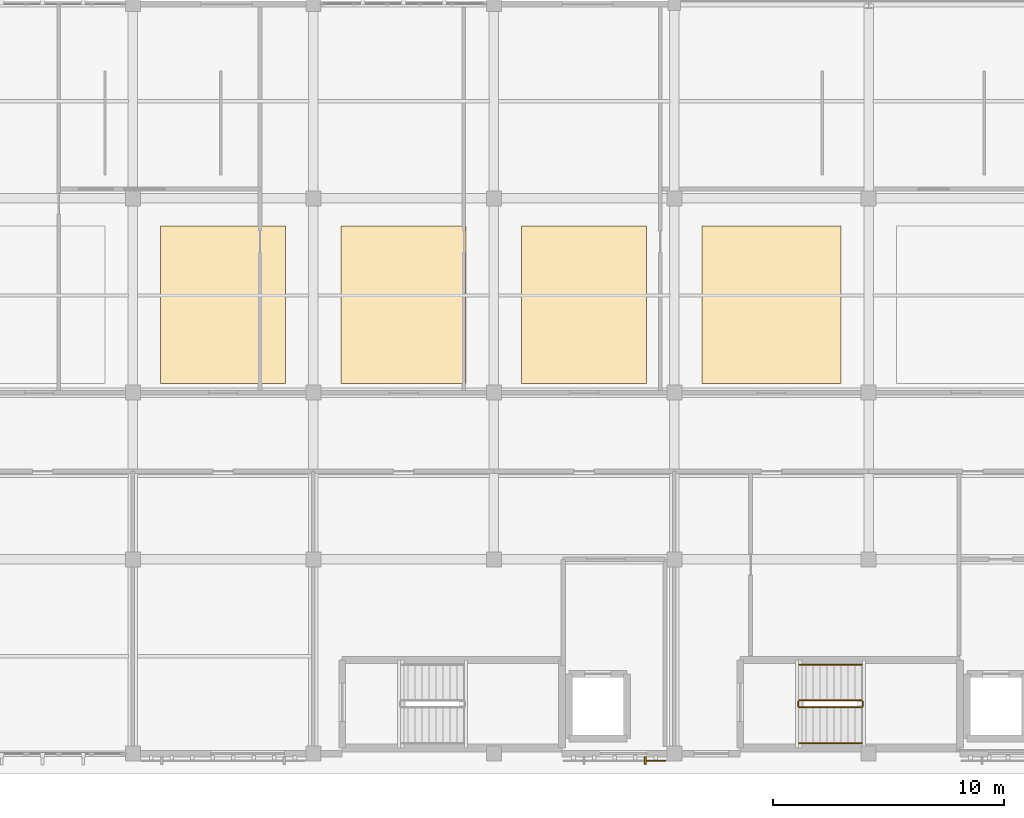
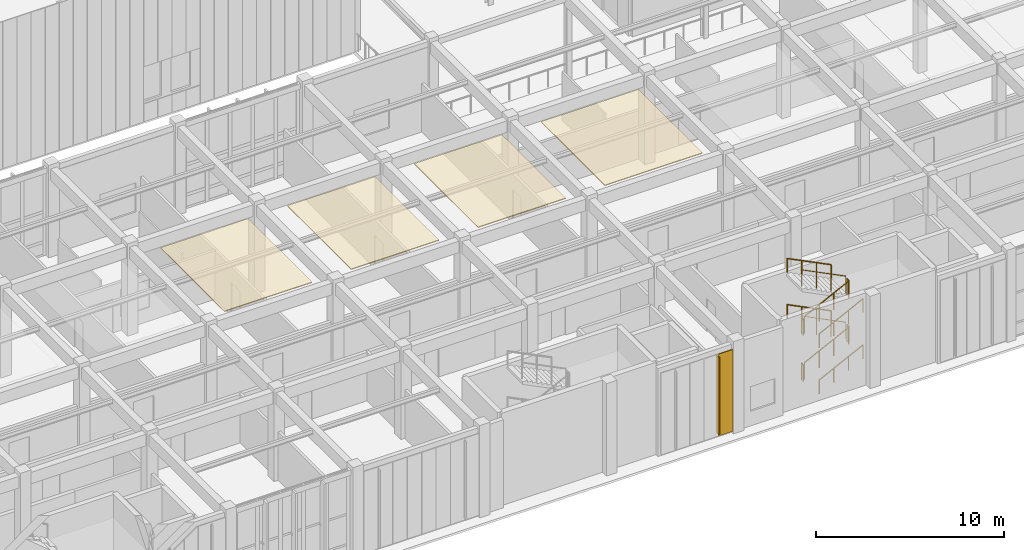
# One storey, part 91 of 105: 12 railings, 5 coverings, 1 shading device.
"""IFC4 building model written with IfcOpenShell, lengths in metres."""

from ifc_helpers import new_model, si_unit, direction, frame, origin, origin_2d, place, context, subcontext, project, spatial, polyline, rectangle, circle, outline, extrude, material, layer, layer_set, type_object, element, save


model = new_model("IFC4")

# Units and contexts
model_context = context("Model", 3, precision=1e-05, world=origin(), true_north=direction((0.0, 1.0)))
body_context = subcontext(model_context, "Body", "Model", "MODEL_VIEW")
ifc_project = project(units=[si_unit("LENGTHUNIT", "METRE"), si_unit("AREAUNIT", "SQUARE_METRE"), si_unit("VOLUMEUNIT", "CUBIC_METRE"), si_unit("PLANEANGLEUNIT", "RADIAN"), si_unit("MASSUNIT", "GRAM", prefix="KILO")], contexts=[model_context])

# Site, building, storey
site_placement = place(None, origin())
site = spatial("IfcSite", under=ifc_project, at=site_placement, CompositionType="ELEMENT")
building_placement = place(site_placement, origin())
building = spatial("IfcBuilding", under=site, at=building_placement, Name="Tizgana Railside Sports Hall", CompositionType="ELEMENT")
storey_placement = place(building_placement, frame((0.0, 0.0, 6.0)))
storey = spatial("IfcBuildingStorey", under=building, at=storey_placement, Name="L01", CompositionType="ELEMENT", Elevation=6.0)

# Shading device
ifc_material_1 = material(Name="Glulam GL28h", Category="wood")
shading_device_type = type_object("IfcShadingDeviceType", Name="Glulam Vertical Brise-Soleil Fin 320", PredefinedType="JALOUSIE", material=ifc_material_1)
shading_device_placement = place(storey_placement, frame((53.35009765625, -0.2939453125, 0.35009765625), z_axis=(0.0, 0.0, 1.0), x_axis=(-1.0, 0.0, 0.0)))
element("IfcShadingDevice", 1, at=shading_device_placement, inside=storey, type_object=shading_device_type, Name="L01 Glulam Fin FIN-0031", PredefinedType="JALOUSIE", context=body_context, shape_type="SweptSolid", body=[
    extrude(rectangle(XDim=0.080078125, YDim=0.320068359375, at=origin_2d()), origin(), (0.0, 0.0, 1.0), 5.02001953125),
])

# Covering
ifc_material_2 = material(Name="Anodised perforated aluminium screen", Category="aluminium")
ifc_layer_1 = layer(ifc_material_2, 0.044921875, Name="Anodised perforated aluminium screen")
ifc_layer_set_1 = layer_set([ifc_layer_1], Name="Anodised perforated aluminium screen")
covering_type_1 = type_object("IfcCoveringType", Name="Perforated Aluminium Hall Screen 900", PredefinedType="CLADDING", material=ifc_layer_set_1)
covering_1_placement = place(storey_placement, frame((53.804931640625, -0.31494140625, 0.2001953125), z_axis=(0.0, 0.0, 1.0), x_axis=(-1.0, 0.0, 0.0)))
element("IfcCovering", 2, at=covering_1_placement, inside=storey, type_object=covering_type_1, Name="L01 Perforated Screen SCR-0538", PredefinedType="CLADDING", context=body_context, shape_type="SweptSolid", body=[
    extrude(rectangle(XDim=0.8720703125, YDim=0.044921875, at=origin_2d()), origin(), (0.0, 0.0, 1.0), 5.320068359375),
])

# Railings
ifc_material_3 = material(Name="Galvanised steel sheet", Category="steel")
railing_type_1 = type_object("IfcRailingType", Name="Safety Balustrade Guard 1100", PredefinedType="BALUSTRADE", material=ifc_material_3)
railing_1_placement = place(storey_placement, frame((60.0, 2.0, 0.14990234375)))
element("IfcRailing", 3, at=railing_1_placement, inside=storey, type_object=railing_type_1, Name="L01 ST-03 stair guard 1", PredefinedType="BALUSTRADE", context=body_context, shape_type="SweptSolid", body=[
    extrude(circle(Radius=0.02392578125, at=origin_2d()), frame((0.0, 0.0, 1.076171875), z_axis=(0.894411015155, 0.0, 0.447245945728), x_axis=(0.0, 1.0, 0.0)), (0.0, 0.0, 1.0), 3.018798828125),
    extrude(circle(Radius=0.02099609375, at=origin_2d()), origin(), (0.0, 0.0, 1.0), 1.052001953125),
    extrude(circle(Radius=0.02099609375, at=origin_2d()), frame((0.89990234375, 0.0, 0.449951171875)), (0.0, 0.0, 1.0), 1.052001953125),
    extrude(circle(Radius=0.02099609375, at=origin_2d()), frame((1.800048828125, 0.0, 0.900146484375)), (0.0, 0.0, 1.0), 1.052001953125),
    extrude(circle(Radius=0.02099609375, at=origin_2d()), frame((2.699951171875, 0.0, 1.35009765625)), (0.0, 0.0, 1.0), 1.052001953125),
])
railing_2_placement = place(storey_placement, frame((62.75, 2.050048828125, 1.5)))
element("IfcRailing", 4, at=railing_2_placement, inside=storey, type_object=railing_type_1, Name="L01 ST-03 stair guard 2", PredefinedType="BALUSTRADE", context=body_context, shape_type="SweptSolid", body=[
    extrude(circle(Radius=0.02392578125, at=origin_2d()), frame((0.0, 0.0, 1.076171875), z_axis=(0.0, 1.0, 0.0), x_axis=(-1.0, 0.0, 0.0)), (0.0, 0.0, 1.0), 0.199951171875),
    extrude(circle(Radius=0.02099609375, at=origin_2d()), origin(), (0.0, 0.0, 1.0), 1.052001953125),
    extrude(circle(Radius=0.02099609375, at=origin_2d()), frame((0.0, 0.199951171875, 0.0)), (0.0, 0.0, 1.0), 1.052001953125),
])
railing_3_placement = place(storey_placement, frame((62.699951171875, 2.300048828125, 1.64990234375)))
element("IfcRailing", 5, at=railing_3_placement, inside=storey, type_object=railing_type_1, Name="L01 ST-03 stair guard 3", PredefinedType="BALUSTRADE", context=body_context, shape_type="SweptSolid", body=[
    extrude(circle(Radius=0.02392578125, at=origin_2d()), frame((0.0, 0.0, 1.076171875), z_axis=(-0.894411015155, 0.0, 0.447245945728), x_axis=(0.0, -1.0, 0.0)), (0.0, 0.0, 1.0), 3.018798828125),
    extrude(circle(Radius=0.02099609375, at=origin_2d()), origin(), (0.0, 0.0, 1.0), 1.052001953125),
    extrude(circle(Radius=0.02099609375, at=origin_2d()), frame((-0.89990234375, 0.0, 0.449951171875)), (0.0, 0.0, 1.0), 1.052001953125),
    extrude(circle(Radius=0.02099609375, at=origin_2d()), frame((-1.800048828125, 0.0, 0.900146484375)), (0.0, 0.0, 1.0), 1.052001953125),
    extrude(circle(Radius=0.02099609375, at=origin_2d()), frame((-2.699951171875, 0.0, 1.35009765625)), (0.0, 0.0, 1.0), 1.052001953125),
])
railing_4_placement = place(storey_placement, frame((59.949951171875, 2.050048828125, 3.0)))
element("IfcRailing", 6, at=railing_4_placement, inside=storey, type_object=railing_type_1, Name="L01 ST-03 stair guard 4", PredefinedType="BALUSTRADE", context=body_context, shape_type="SweptSolid", body=[
    extrude(circle(Radius=0.02392578125, at=origin_2d()), frame((0.0, 0.0, 1.076171875), z_axis=(0.0, 1.0, 0.0), x_axis=(-1.0, 0.0, 0.0)), (0.0, 0.0, 1.0), 0.199951171875),
    extrude(circle(Radius=0.02099609375, at=origin_2d()), origin(), (0.0, 0.0, 1.0), 1.052001953125),
    extrude(circle(Radius=0.02099609375, at=origin_2d()), frame((0.0, 0.199951171875, 0.0)), (0.0, 0.0, 1.0), 1.052001953125),
])
railing_5_placement = place(storey_placement, frame((60.0, 2.0, 3.14990234375)))
element("IfcRailing", 7, at=railing_5_placement, inside=storey, type_object=railing_type_1, Name="L01 ST-03 stair guard 5", PredefinedType="BALUSTRADE", context=body_context, shape_type="SweptSolid", body=[
    extrude(circle(Radius=0.02392578125, at=origin_2d()), frame((0.0, 0.0, 1.076171875), z_axis=(0.894411015155, 0.0, 0.447245945728), x_axis=(0.0, 1.0, 0.0)), (0.0, 0.0, 1.0), 3.018798828125),
    extrude(circle(Radius=0.02099609375, at=origin_2d()), origin(), (0.0, 0.0, 1.0), 1.052001953125),
    extrude(circle(Radius=0.02099609375, at=origin_2d()), frame((0.89990234375, 0.0, 0.449951171875)), (0.0, 0.0, 1.0), 1.052001953125),
    extrude(circle(Radius=0.02099609375, at=origin_2d()), frame((1.800048828125, 0.0, 0.900146484375)), (0.0, 0.0, 1.0), 1.052001953125),
    extrude(circle(Radius=0.02099609375, at=origin_2d()), frame((2.699951171875, 0.0, 1.35009765625)), (0.0, 0.0, 1.0), 1.052001953125),
])
railing_6_placement = place(storey_placement, frame((62.75, 2.050048828125, 4.5)))
element("IfcRailing", 8, at=railing_6_placement, inside=storey, type_object=railing_type_1, Name="L01 ST-03 stair guard 6", PredefinedType="BALUSTRADE", context=body_context, shape_type="SweptSolid", body=[
    extrude(circle(Radius=0.02392578125, at=origin_2d()), frame((0.0, 0.0, 1.076171875), z_axis=(0.0, 1.0, 0.0), x_axis=(-1.0, 0.0, 0.0)), (0.0, 0.0, 1.0), 0.199951171875),
    extrude(circle(Radius=0.02099609375, at=origin_2d()), origin(), (0.0, 0.0, 1.0), 1.052001953125),
    extrude(circle(Radius=0.02099609375, at=origin_2d()), frame((0.0, 0.199951171875, 0.0)), (0.0, 0.0, 1.0), 1.052001953125),
])
railing_7_placement = place(storey_placement, frame((62.699951171875, 2.300048828125, 4.64990234375)))
element("IfcRailing", 9, at=railing_7_placement, inside=storey, type_object=railing_type_1, Name="L01 ST-03 stair guard 7", PredefinedType="BALUSTRADE", context=body_context, shape_type="SweptSolid", body=[
    extrude(circle(Radius=0.02392578125, at=origin_2d()), frame((0.0, 0.0, 1.076171875), z_axis=(-0.894411015155, 0.0, 0.447245945728), x_axis=(0.0, -1.0, 0.0)), (0.0, 0.0, 1.0), 3.018798828125),
    extrude(circle(Radius=0.02099609375, at=origin_2d()), origin(), (0.0, 0.0, 1.0), 1.052001953125),
    extrude(circle(Radius=0.02099609375, at=origin_2d()), frame((-0.89990234375, 0.0, 0.449951171875)), (0.0, 0.0, 1.0), 1.052001953125),
    extrude(circle(Radius=0.02099609375, at=origin_2d()), frame((-1.800048828125, 0.0, 0.900146484375)), (0.0, 0.0, 1.0), 1.052001953125),
    extrude(circle(Radius=0.02099609375, at=origin_2d()), frame((-2.699951171875, 0.0, 1.35009765625)), (0.0, 0.0, 1.0), 1.052001953125),
])
railing_8_placement = place(storey_placement, frame((59.949951171875, 2.050048828125, 0.0)))
element("IfcRailing", 10, at=railing_8_placement, inside=storey, type_object=railing_type_1, Name="L01 ST-03 stair guard 8", PredefinedType="BALUSTRADE", context=body_context, shape_type="SweptSolid", body=[
    extrude(circle(Radius=0.02392578125, at=origin_2d()), frame((0.0, 0.0, 1.076171875), z_axis=(0.0, 1.0, 0.0), x_axis=(-1.0, 0.0, 0.0)), (0.0, 0.0, 1.0), 0.199951171875),
    extrude(circle(Radius=0.02099609375, at=origin_2d()), origin(), (0.0, 0.0, 1.0), 1.052001953125),
    extrude(circle(Radius=0.02099609375, at=origin_2d()), frame((0.0, 0.199951171875, 0.0)), (0.0, 0.0, 1.0), 1.052001953125),
])

# Coverings
ifc_material_4 = material(Name="Acoustic perforated timber", Category="wood")
ifc_layer_2 = layer(ifc_material_4, 0.054931640625, Name="Acoustic perforated timber")
ifc_layer_set_2 = layer_set([ifc_layer_2], Name="Acoustic perforated timber")
covering_type_2 = type_object("IfcCoveringType", Name="Slatted Timber Acoustic Hall Ceiling", PredefinedType="CEILING", material=ifc_layer_set_2)
covering_2_placement = place(storey_placement, frame((0.0, 0.0, 5.699951171875)))
element("IfcCovering", 11, at=covering_2_placement, inside=storey, type_object=covering_type_2, Name="L01 Acoustic Ceiling CLG-0004", PredefinedType="CEILING", context=body_context, shape_type="SweptSolid", body=[
    extrude(outline(polyline([(32.39990234375, 16.0), (37.800048828125, 16.0), (37.800048828125, 22.800048828125), (32.39990234375, 22.800048828125), (32.39990234375, 16.0)])), origin(), (0.0, 0.0, 1.0), 0.054931640625),
])
covering_3_placement = place(storey_placement, frame((0.0, 0.0, 5.699951171875)))
element("IfcCovering", 12, at=covering_3_placement, inside=storey, type_object=covering_type_2, Name="L01 Acoustic Ceiling CLG-0005", PredefinedType="CEILING", context=body_context, shape_type="SweptSolid", body=[
    extrude(outline(polyline([(40.199951171875, 16.0), (45.60009765625, 16.0), (45.60009765625, 22.800048828125), (40.199951171875, 22.800048828125), (40.199951171875, 16.0)])), origin(), (0.0, 0.0, 1.0), 0.054931640625),
])
covering_4_placement = place(storey_placement, frame((0.0, 0.0, 5.699951171875)))
element("IfcCovering", 13, at=covering_4_placement, inside=storey, type_object=covering_type_2, Name="L01 Acoustic Ceiling CLG-0006", PredefinedType="CEILING", context=body_context, shape_type="SweptSolid", body=[
    extrude(outline(polyline([(48.0, 16.0), (53.39990234375, 16.0), (53.39990234375, 22.800048828125), (48.0, 22.800048828125), (48.0, 16.0)])), origin(), (0.0, 0.0, 1.0), 0.054931640625),
])
covering_5_placement = place(storey_placement, frame((0.0, 0.0, 5.699951171875)))
element("IfcCovering", 14, at=covering_5_placement, inside=storey, type_object=covering_type_2, Name="L01 Acoustic Ceiling CLG-0007", PredefinedType="CEILING", context=body_context, shape_type="SweptSolid", body=[
    extrude(outline(polyline([(55.800048828125, 16.0), (61.800048828125, 16.0), (61.800048828125, 22.800048828125), (55.800048828125, 22.800048828125), (55.800048828125, 16.0)])), origin(), (0.0, 0.0, 1.0), 0.054931640625),
])

# Railings
ifc_material_5 = material(Name="Brushed stainless steel", Category="steel")
railing_type_2 = type_object("IfcRailingType", Name="Stair & Ramp Wall Handrail 900", PredefinedType="HANDRAIL", material=ifc_material_5)
railing_9_placement = place(storey_placement, frame((60.0, 0.449951171875, 0.14990234375)))
element("IfcRailing", 15, at=railing_9_placement, inside=storey, type_object=railing_type_2, Name="L01 ST-03 stair handrail 1", PredefinedType="HANDRAIL", context=body_context, shape_type="SweptSolid", body=[
    extrude(circle(Radius=0.02392578125, at=origin_2d()), frame((0.0, 0.0, 0.8759765625), z_axis=(0.894411015155, 0.0, 0.447245945728), x_axis=(0.0, 1.0, 0.0)), (0.0, 0.0, 1.0), 3.018798828125),
    extrude(circle(Radius=0.02099609375, at=origin_2d()), origin(), (0.0, 0.0, 1.0), 0.851806640625),
    extrude(circle(Radius=0.02099609375, at=origin_2d()), frame((0.89990234375, 0.0, 0.449951171875)), (0.0, 0.0, 1.0), 0.851806640625),
    extrude(circle(Radius=0.02099609375, at=origin_2d()), frame((1.800048828125, 0.0, 0.900146484375)), (0.0, 0.0, 1.0), 0.851806640625),
    extrude(circle(Radius=0.02099609375, at=origin_2d()), frame((2.699951171875, 0.0, 1.35009765625)), (0.0, 0.0, 1.0), 0.851806640625),
])
railing_10_placement = place(storey_placement, frame((62.699951171875, 3.85009765625, 1.64990234375)))
element("IfcRailing", 16, at=railing_10_placement, inside=storey, type_object=railing_type_2, Name="L01 ST-03 stair handrail 2", PredefinedType="HANDRAIL", context=body_context, shape_type="SweptSolid", body=[
    extrude(circle(Radius=0.02392578125, at=origin_2d()), frame((0.0, 0.0, 0.8759765625), z_axis=(-0.894411015155, 0.0, 0.447245945728), x_axis=(0.0, -1.0, 0.0)), (0.0, 0.0, 1.0), 3.018798828125),
    extrude(circle(Radius=0.02099609375, at=origin_2d()), origin(), (0.0, 0.0, 1.0), 0.851806640625),
    extrude(circle(Radius=0.02099609375, at=origin_2d()), frame((-0.89990234375, 0.0, 0.449951171875)), (0.0, 0.0, 1.0), 0.851806640625),
    extrude(circle(Radius=0.02099609375, at=origin_2d()), frame((-1.800048828125, 0.0, 0.900146484375)), (0.0, 0.0, 1.0), 0.851806640625),
    extrude(circle(Radius=0.02099609375, at=origin_2d()), frame((-2.699951171875, 0.0, 1.35009765625)), (0.0, 0.0, 1.0), 0.851806640625),
])
railing_11_placement = place(storey_placement, frame((60.0, 0.449951171875, 3.14990234375)))
element("IfcRailing", 17, at=railing_11_placement, inside=storey, type_object=railing_type_2, Name="L01 ST-03 stair handrail 3", PredefinedType="HANDRAIL", context=body_context, shape_type="SweptSolid", body=[
    extrude(circle(Radius=0.02392578125, at=origin_2d()), frame((0.0, 0.0, 0.8759765625), z_axis=(0.894411015155, 0.0, 0.447245945728), x_axis=(0.0, 1.0, 0.0)), (0.0, 0.0, 1.0), 3.018798828125),
    extrude(circle(Radius=0.02099609375, at=origin_2d()), origin(), (0.0, 0.0, 1.0), 0.851806640625),
    extrude(circle(Radius=0.02099609375, at=origin_2d()), frame((0.89990234375, 0.0, 0.449951171875)), (0.0, 0.0, 1.0), 0.851806640625),
    extrude(circle(Radius=0.02099609375, at=origin_2d()), frame((1.800048828125, 0.0, 0.900146484375)), (0.0, 0.0, 1.0), 0.851806640625),
    extrude(circle(Radius=0.02099609375, at=origin_2d()), frame((2.699951171875, 0.0, 1.35009765625)), (0.0, 0.0, 1.0), 0.851806640625),
])
railing_12_placement = place(storey_placement, frame((62.699951171875, 3.85009765625, 4.64990234375)))
element("IfcRailing", 18, at=railing_12_placement, inside=storey, type_object=railing_type_2, Name="L01 ST-03 stair handrail 4", PredefinedType="HANDRAIL", context=body_context, shape_type="SweptSolid", body=[
    extrude(circle(Radius=0.02392578125, at=origin_2d()), frame((0.0, 0.0, 0.8759765625), z_axis=(-0.894411015155, 0.0, 0.447245945728), x_axis=(0.0, -1.0, 0.0)), (0.0, 0.0, 1.0), 3.018798828125),
    extrude(circle(Radius=0.02099609375, at=origin_2d()), origin(), (0.0, 0.0, 1.0), 0.851806640625),
    extrude(circle(Radius=0.02099609375, at=origin_2d()), frame((-0.89990234375, 0.0, 0.449951171875)), (0.0, 0.0, 1.0), 0.851806640625),
    extrude(circle(Radius=0.02099609375, at=origin_2d()), frame((-1.800048828125, 0.0, 0.900146484375)), (0.0, 0.0, 1.0), 0.851806640625),
    extrude(circle(Radius=0.02099609375, at=origin_2d()), frame((-2.699951171875, 0.0, 1.35009765625)), (0.0, 0.0, 1.0), 0.851806640625),
])

save(model, "model.ifc")
